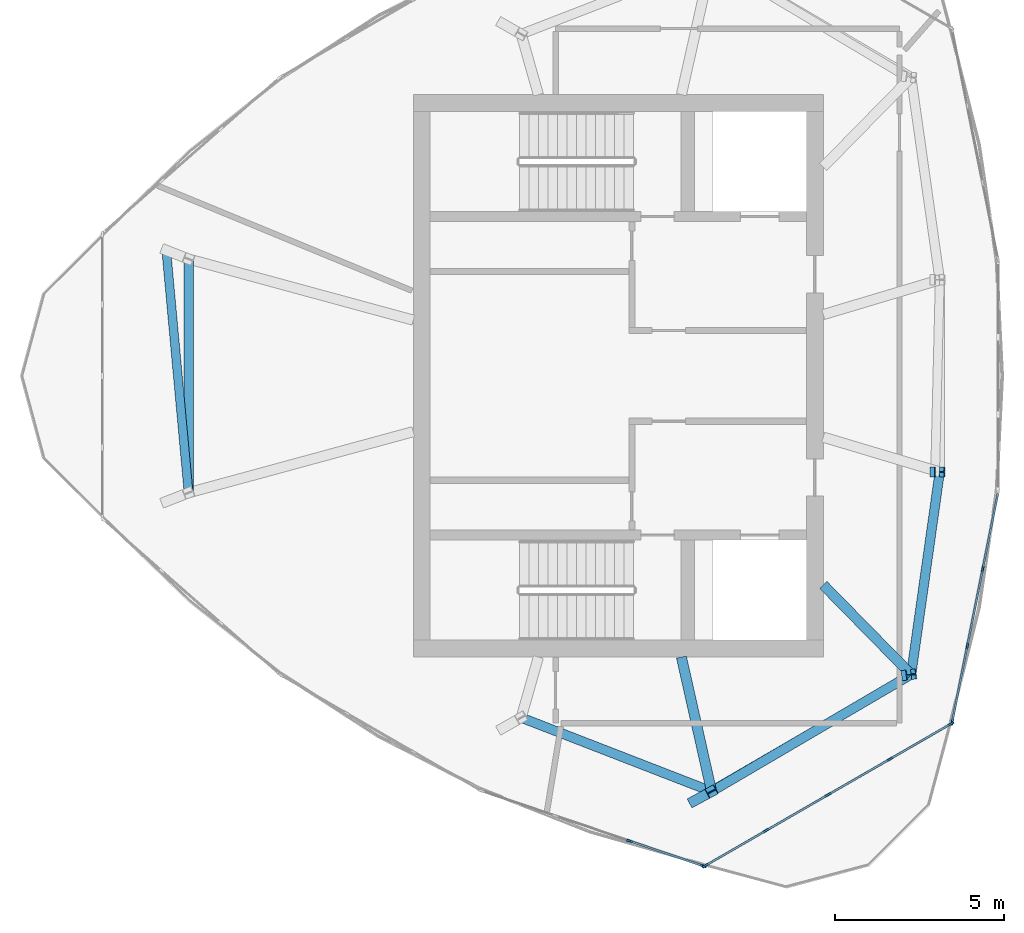
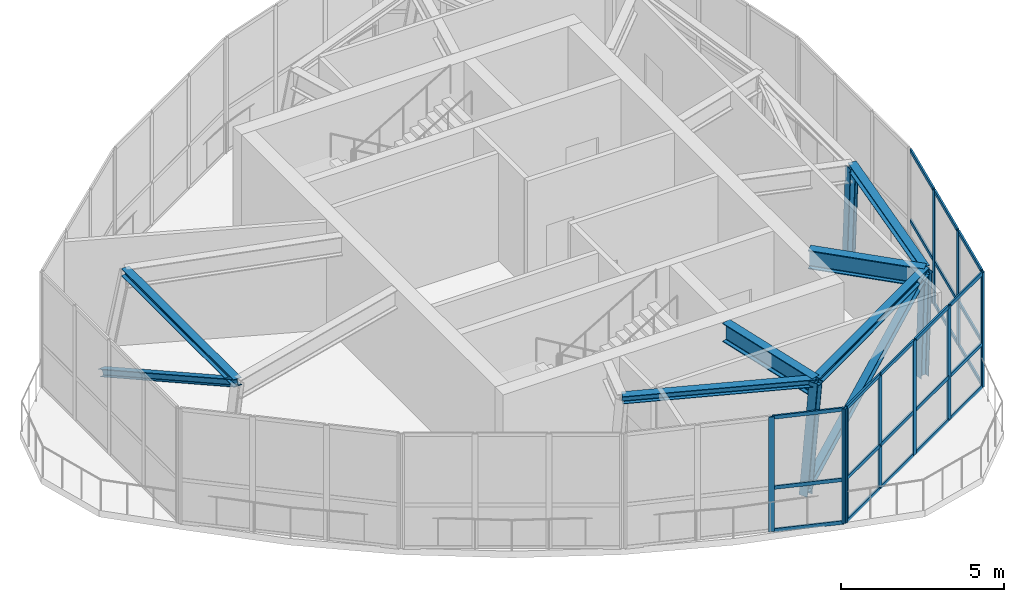
# One storey, part 2 of 10: 43 members, 2 beams, 3 elements without a shape of their own.
"""IFC4 building model written with IfcOpenShell, lengths in metres."""

from ifc_helpers import new_model, si_unit, direction, frame, origin, origin_2d, place, context, subcontext, project, spatial, rectangle, i_section, extrude, source, transform, mapped, material, layer, layer_set, material_profile, profile_set, type_object, element, aggregate, save


model = new_model("IFC4")

# Units and contexts
model_context = context("Model", 3, precision=1e-05, world=origin(), true_north=direction((0.0, 1.0)))
body_context = subcontext(model_context, "Body", "Model", "MODEL_VIEW")
ifc_project = project(units=[si_unit("LENGTHUNIT", "METRE"), si_unit("AREAUNIT", "SQUARE_METRE"), si_unit("VOLUMEUNIT", "CUBIC_METRE"), si_unit("PLANEANGLEUNIT", "RADIAN"), si_unit("MASSUNIT", "GRAM", prefix="KILO")], contexts=[model_context])

# Site, building, storey
site_placement = place(None, origin())
site = spatial("IfcSite", under=ifc_project, at=site_placement, CompositionType="ELEMENT")
building_placement = place(site_placement, origin())
building = spatial("IfcBuilding", under=site, at=building_placement, Name="Qafzar Sky-Pleat Residences", CompositionType="ELEMENT")
storey_placement = place(building_placement, frame((0.0, 0.0, 261.800048828125)))
storey = spatial("IfcBuildingStorey", under=building, at=storey_placement, Name="L78 Crown", CompositionType="ELEMENT", Elevation=261.800048828125)

# Members
ifc_material_1 = material(Name="Steel S460", Category="steel")
ifc_material_profile_1 = material_profile(ifc_material_1, i_section(OverallWidth=0.300048828125, OverallDepth=0.300048828125, WebThickness=0.010986328125, FlangeThickness=0.01904296875, FilletRadius=0.027099609375, at=origin_2d()), Name="HEB 300")
ifc_profile_set_1 = profile_set([ifc_material_profile_1], Name="Steel S460")
member_type_1 = type_object("IfcMemberType", Name="MEM-CROWN-RIB", PredefinedType="CHORD", material=ifc_profile_set_1)
shared_shape_1 = source(origin(), body_context, "Body", "SweptSolid", [
    extrude(i_section(OverallWidth=0.300048828125, OverallDepth=0.300048828125, WebThickness=0.010986328125, FlangeThickness=0.01904296875, FilletRadius=0.027099609375, at=origin_2d()), origin(), (0.0, 0.0, 1.0), 3.898193359375),
])
member_1_placement = place(storey_placement, frame((38.86279296875, 17.171142578125, 0.0), z_axis=(0.033443834759, 0.004133507667, 0.999432050732), x_axis=(-0.122662172065, 0.992448483068, 0.0)))
element("IfcMember", 1, at=member_1_placement, inside=storey, type_object=member_type_1, Name="L78 Crown CROWN FRAME Inclined Rib 6", PredefinedType="CHORD", context=body_context, shape_type="MappedRepresentation", body=[
    mapped(shared_shape_1, transform((0.0, 0.0, 0.0), x_axis=(1.0, 0.0, 0.0), y_axis=(0.0, 1.0, 0.0), z_axis=(0.0, 0.0, 1.0), scale=1.0)),
])
shared_shape_2 = source(origin(), body_context, "Body", "SweptSolid", [
    extrude(i_section(OverallWidth=0.300048828125, OverallDepth=0.300048828125, WebThickness=0.010986328125, FlangeThickness=0.01904296875, FilletRadius=0.027099609375, at=origin_2d()), origin(), (0.0, 0.0, 1.0), 3.8984375),
])
member_2_placement = place(storey_placement, frame((39.70068359375, 23.162841796875, 0.0), z_axis=(0.03500797869, 0.0003131304, 0.999386983794), x_axis=(-0.008944186046, 0.999959999968, 0.0)))
element("IfcMember", 2, at=member_2_placement, inside=storey, type_object=member_type_1, Name="L78 Crown CROWN FRAME Inclined Rib 7", PredefinedType="CHORD", context=body_context, shape_type="MappedRepresentation", body=[
    mapped(shared_shape_2, transform((0.0, 0.0, 0.0), x_axis=(1.0, 0.0, 0.0), y_axis=(0.0, 1.0, 0.0), z_axis=(0.0, 0.0, 1.0), scale=1.0)),
])
shared_shape_3 = source(origin(), body_context, "Body", "SweptSolid", [
    extrude(i_section(OverallWidth=0.300048828125, OverallDepth=0.300048828125, WebThickness=0.010986328125, FlangeThickness=0.01904296875, FilletRadius=0.027099609375, at=origin_2d()), origin(), (0.0, 0.0, 1.0), 3.940673828125),
])
member_3_placement = place(storey_placement, frame((32.5830078125, 13.4541015625, 0.0), z_axis=(0.132210472928, 0.07112353464, 0.988666694932), x_axis=(-0.473755256735, 0.88065654867, 0.0)))
element("IfcMember", 3, at=member_3_placement, inside=storey, type_object=member_type_1, Name="L78 Crown CROWN FRAME Inclined Rib 5", PredefinedType="CHORD", context=body_context, shape_type="MappedRepresentation", body=[
    mapped(shared_shape_3, transform((0.0, 0.0, 0.0), x_axis=(1.0, 0.0, 0.0), y_axis=(0.0, 1.0, 0.0), z_axis=(0.0, 0.0, 1.0), scale=1.0)),
])
ifc_material_2 = material(Name="Steel S355", Category="steel")
ifc_material_profile_2 = material_profile(ifc_material_2, i_section(OverallWidth=0.280029296875, OverallDepth=0.280029296875, WebThickness=0.010498046875, FlangeThickness=0.01806640625, FilletRadius=0.02392578125, at=origin_2d()), Name="HEB 280")
ifc_profile_set_2 = profile_set([ifc_material_profile_2], Name="Steel S355")
member_type_2 = type_object("IfcMemberType", Name="MEM-CROWN-RING", PredefinedType="PURLIN", material=ifc_profile_set_2)
shared_shape_4 = source(origin(), body_context, "Body", "SweptSolid", [
    extrude(i_section(OverallWidth=0.280029296875, OverallDepth=0.280029296875, WebThickness=0.010498046875, FlangeThickness=0.01806640625, FilletRadius=0.02392578125, at=origin_2d()), origin(), (0.0, 0.0, 1.0), 6.89794921875),
])
member_4_placement = place(storey_placement, frame((17.668212890625, 29.448974609375, 3.906005859375), z_axis=(0.0, -1.0, 0.0), x_axis=(1.0, 0.0, 0.0)))
element("IfcMember", 4, at=member_4_placement, inside=storey, type_object=member_type_2, Name="L78 Crown CROWN FRAME Ring Beam 1", PredefinedType="PURLIN", context=body_context, shape_type="MappedRepresentation", body=[
    mapped(shared_shape_4, transform((0.0, 0.0, 0.0), x_axis=(1.0, 0.0, 0.0), y_axis=(0.0, 1.0, 0.0), z_axis=(0.0, 0.0, 1.0), scale=1.0)),
])
ifc_material_profile_3 = material_profile(ifc_material_2, i_section(OverallWidth=0.260009765625, OverallDepth=0.260009765625, WebThickness=0.010009765625, FlangeThickness=0.017578125, FilletRadius=0.02392578125, at=origin_2d()), Name="HEB 260")
ifc_profile_set_3 = profile_set([ifc_material_profile_3], Name="Steel S355")
member_type_3 = type_object("IfcMemberType", Name="MEM-CROWN-DIAG", PredefinedType="BRACE", material=ifc_profile_set_3)
shared_shape_5 = source(origin(), body_context, "Body", "SweptSolid", [
    extrude(i_section(OverallWidth=0.260009765625, OverallDepth=0.260009765625, WebThickness=0.010009765625, FlangeThickness=0.017578125, FilletRadius=0.02392578125, at=origin_2d()), origin(), (0.0, 0.0, 1.0), 8.089599609375),
])
member_5_placement = place(storey_placement, frame((17.010498046875, 29.706298828125, 0.199951171875), z_axis=(0.081304974946, -0.88451603776, 0.459370090444), x_axis=(0.995801914341, 0.091534405529, 0.0)))
element("IfcMember", 5, at=member_5_placement, inside=storey, type_object=member_type_3, Name="L78 Crown CROWN FRAME Wind Brace 1", PredefinedType="BRACE", context=body_context, shape_type="MappedRepresentation", body=[
    mapped(shared_shape_5, transform((0.0, 0.0, 0.0), x_axis=(1.0, 0.0, 0.0), y_axis=(0.0, 1.0, 0.0), z_axis=(0.0, 0.0, 1.0), scale=1.0)),
])
shared_shape_6 = source(origin(), body_context, "Body", "SweptSolid", [
    extrude(i_section(OverallWidth=0.280029296875, OverallDepth=0.280029296875, WebThickness=0.010498046875, FlangeThickness=0.01806640625, FilletRadius=0.02392578125, at=origin_2d()), origin(), (0.0, 0.0, 1.0), 6.027587890625),
])
member_6_placement = place(storey_placement, frame((27.484619140625, 15.91455078125, 3.906005859375), z_axis=(0.932292469573, -0.361705337502, 0.0), x_axis=(0.361705337502, 0.932292469573, 0.0)))
element("IfcMember", 6, at=member_6_placement, inside=storey, type_object=member_type_2, Name="L78 Crown CROWN FRAME Ring Beam 4", PredefinedType="PURLIN", context=body_context, shape_type="MappedRepresentation", body=[
    mapped(shared_shape_6, transform((0.0, 0.0, 0.0), x_axis=(1.0, 0.0, 0.0), y_axis=(0.0, 1.0, 0.0), z_axis=(0.0, 0.0, 1.0), scale=1.0)),
])
shared_shape_7 = source(origin(), body_context, "Body", "SweptSolid", [
    extrude(i_section(OverallWidth=0.280029296875, OverallDepth=0.280029296875, WebThickness=0.010498046875, FlangeThickness=0.01806640625, FilletRadius=0.02392578125, at=origin_2d()), origin(), (0.0, 0.0, 1.0), 6.82666015625),
])
member_7_placement = place(storey_placement, frame((33.10400390625, 13.734375, 3.906005859375), z_axis=(0.86265869224, 0.505786497154, 0.0), x_axis=(-0.505786497154, 0.86265869224, 0.0)))
element("IfcMember", 7, at=member_7_placement, inside=storey, type_object=member_type_2, Name="L78 Crown CROWN FRAME Ring Beam 5", PredefinedType="PURLIN", context=body_context, shape_type="MappedRepresentation", body=[
    mapped(shared_shape_7, transform((0.0, 0.0, 0.0), x_axis=(1.0, 0.0, 0.0), y_axis=(0.0, 1.0, 0.0), z_axis=(0.0, 0.0, 1.0), scale=1.0)),
])
shared_shape_8 = source(origin(), body_context, "Body", "SweptSolid", [
    extrude(i_section(OverallWidth=0.260009765625, OverallDepth=0.260009765625, WebThickness=0.010009765625, FlangeThickness=0.017578125, FilletRadius=0.02392578125, at=origin_2d()), origin(), (0.0, 0.0, 1.0), 8.296630859375),
])
member_8_placement = place(storey_placement, frame((32.5830078125, 13.4541015625, 0.199951171875), z_axis=(0.772612650489, 0.449955059362, 0.447895229779), x_axis=(-0.503256996159, 0.864136792306, 0.0)))
element("IfcMember", 8, at=member_8_placement, inside=storey, type_object=member_type_3, Name="L78 Crown CROWN FRAME Wind Brace 5", PredefinedType="BRACE", context=body_context, shape_type="MappedRepresentation", body=[
    mapped(shared_shape_8, transform((0.0, 0.0, 0.0), x_axis=(1.0, 0.0, 0.0), y_axis=(0.0, 1.0, 0.0), z_axis=(0.0, 0.0, 1.0), scale=1.0)),
])
shared_shape_9 = source(origin(), body_context, "Body", "SweptSolid", [
    extrude(i_section(OverallWidth=0.280029296875, OverallDepth=0.280029296875, WebThickness=0.010498046875, FlangeThickness=0.01806640625, FilletRadius=0.02392578125, at=origin_2d()), origin(), (0.0, 0.0, 1.0), 6.0361328125),
])
member_9_placement = place(storey_placement, frame((38.9931640625, 17.187255859375, 3.906005859375), z_axis=(0.139824335469, 0.990176325313, 0.0), x_axis=(-0.990176325313, 0.139824335469, 0.0)))
element("IfcMember", 9, at=member_9_placement, inside=storey, type_object=member_type_2, Name="L78 Crown CROWN FRAME Ring Beam 6", PredefinedType="PURLIN", context=body_context, shape_type="MappedRepresentation", body=[
    mapped(shared_shape_9, transform((0.0, 0.0, 0.0), x_axis=(1.0, 0.0, 0.0), y_axis=(0.0, 1.0, 0.0), z_axis=(0.0, 0.0, 1.0), scale=1.0)),
])

# Beams
ifc_material_profile_4 = material_profile(ifc_material_1, i_section(OverallWidth=0.300048828125, OverallDepth=0.699951171875, WebThickness=0.01708984375, FlangeThickness=0.031982421875, FilletRadius=0.027099609375, at=origin_2d()), Name="HEB 700")
ifc_profile_set_4 = profile_set([ifc_material_profile_4], Name="Steel S460")
beam_type = type_object("IfcBeamType", Name="BM-CHORD-HEB700", PredefinedType="BEAM", material=ifc_profile_set_4)
shared_shape_10 = source(origin(), body_context, "Body", "SweptSolid", [
    extrude(i_section(OverallWidth=0.300048828125, OverallDepth=0.699951171875, WebThickness=0.01708984375, FlangeThickness=0.031982421875, FilletRadius=0.027099609375, at=origin_2d()), origin(), (0.0, 0.0, 1.0), 4.064208984375),
])
beam_1_placement = place(storey_placement, frame((33.10400390625, 13.734375, 3.697998046875), z_axis=(-0.219073354902, 0.975708391463, 0.0), x_axis=(-0.975708391463, -0.219073354902, 0.0)))
element("IfcBeam", 10, at=beam_1_placement, inside=storey, type_object=beam_type, Name="L79 Crown Crown Rib Base Transfer Beam 5", PredefinedType="BEAM", context=body_context, shape_type="MappedRepresentation", body=[
    mapped(shared_shape_10, transform((0.0, 0.0, 0.0), x_axis=(1.0, 0.0, 0.0), y_axis=(0.0, 1.0, 0.0), z_axis=(0.0, 0.0, 1.0), scale=1.0)),
])
shared_shape_11 = source(origin(), body_context, "Body", "SweptSolid", [
    extrude(i_section(OverallWidth=0.300048828125, OverallDepth=0.699951171875, WebThickness=0.01708984375, FlangeThickness=0.031982421875, FilletRadius=0.027099609375, at=origin_2d()), origin(), (0.0, 0.0, 1.0), 3.70361328125),
])
beam_2_placement = place(storey_placement, frame((38.9931640625, 17.187255859375, 3.697998046875), z_axis=(-0.700217713174, 0.713929376169, 0.0), x_axis=(-0.713929376169, -0.700217713174, 0.0)))
element("IfcBeam", 11, at=beam_2_placement, inside=storey, type_object=beam_type, Name="L79 Crown Crown Rib Base Transfer Beam 6", PredefinedType="BEAM", context=body_context, shape_type="MappedRepresentation", body=[
    mapped(shared_shape_11, transform((0.0, 0.0, 0.0), x_axis=(1.0, 0.0, 0.0), y_axis=(0.0, 1.0, 0.0), z_axis=(0.0, 0.0, 1.0), scale=1.0)),
])

# Curtain wall, members
ifc_material_3 = material(Name="Anodised bronze aluminium framing", Category="aluminium")
ifc_layer = layer(ifc_material_3, 0.179931640625)
ifc_layer_set = layer_set([ifc_layer], Name="Anodised bronze aluminium framing")
curtain_wall_type = type_object("IfcCurtainWallType", Name="CW-SYS-06", PredefinedType="NOTDEFINED", material=ifc_layer_set)
curtain_wall_1_placement = place(storey_placement, origin())
curtain_wall_1 = element("IfcCurtainWall", 12, at=curtain_wall_1_placement, inside=storey, type_object=curtain_wall_type, Name="L78 Crown CW-06 Curtain Wall CW-CROWN-03-04", PredefinedType="NOTDEFINED")
ifc_material_4 = material(Name="Anodised bronze aluminium", Category="aluminium")
ifc_material_profile_5 = material_profile(ifc_material_4, rectangle(XDim=0.06005859375, YDim=0.179931640625, at=origin_2d()), Name="ALU MULLION 60x180")
ifc_profile_set_5 = profile_set([ifc_material_profile_5], Name="Anodised bronze aluminium")
member_type_4 = type_object("IfcMemberType", Name="CWM-06", PredefinedType="MULLION", material=ifc_profile_set_5)
shared_shape_12 = source(origin(), body_context, "Body", "SweptSolid", [
    extrude(rectangle(XDim=0.06005859375, YDim=0.179931640625, at=origin_2d()), origin(), (0.0, 0.0, 1.0), 4.300048828125),
])
member_10_placement = place(storey_placement, frame((30.6865234375, 12.272705078125, 0.0), z_axis=(0.0, 0.0, 1.0), x_axis=(0.320451017741, 0.947265087095, 0.0)))
member_10 = element("IfcMember", 13, at=member_10_placement, type_object=member_type_4, Name="CW-06 mullion 3", PredefinedType="MULLION", context=body_context, shape_type="MappedRepresentation", body=[
    mapped(shared_shape_12, transform((0.0, 0.0, 0.0), x_axis=(1.0, 0.0, 0.0), y_axis=(0.0, 1.0, 0.0), z_axis=(0.0, 0.0, 1.0), scale=1.0)),
])
member_11_placement = place(storey_placement, frame((32.85888671875, 11.53759765625, 0.0), z_axis=(0.0, 0.0, 1.0), x_axis=(0.320451017741, 0.947265087095, 0.0)))
member_11 = element("IfcMember", 14, at=member_11_placement, type_object=member_type_4, Name="CW-06 mullion 4", PredefinedType="MULLION", context=body_context, shape_type="MappedRepresentation", body=[
    mapped(shared_shape_12, transform((0.0, 0.0, 0.0), x_axis=(1.0, 0.0, 0.0), y_axis=(0.0, 1.0, 0.0), z_axis=(0.0, 0.0, 1.0), scale=1.0)),
])

curtain_wall_2_placement = place(storey_placement, origin())
curtain_wall_2 = element("IfcCurtainWall", 15, at=curtain_wall_2_placement, inside=storey, type_object=curtain_wall_type, Name="L78 Crown CW-06 Curtain Wall CW-CROWN-03-05", PredefinedType="NOTDEFINED")
member_12_placement = place(storey_placement, frame((32.913330078125, 11.543212890625, 0.0), z_axis=(0.0, 0.0, 1.0), x_axis=(-0.500002153749, 0.866024160313, 0.0)))
member_12 = element("IfcMember", 16, at=member_12_placement, type_object=member_type_4, Name="CW-06 mullion 1", PredefinedType="MULLION", context=body_context, shape_type="MappedRepresentation", body=[
    mapped(shared_shape_12, transform((0.0, 0.0, 0.0), x_axis=(1.0, 0.0, 0.0), y_axis=(0.0, 1.0, 0.0), z_axis=(0.0, 0.0, 1.0), scale=1.0)),
])
member_13_placement = place(storey_placement, frame((34.71435546875, 12.5830078125, 0.0), z_axis=(0.0, 0.0, 1.0), x_axis=(-0.500002153749, 0.866024160313, 0.0)))
member_13 = element("IfcMember", 17, at=member_13_placement, type_object=member_type_4, Name="CW-06 mullion 2", PredefinedType="MULLION", context=body_context, shape_type="MappedRepresentation", body=[
    mapped(shared_shape_12, transform((0.0, 0.0, 0.0), x_axis=(1.0, 0.0, 0.0), y_axis=(0.0, 1.0, 0.0), z_axis=(0.0, 0.0, 1.0), scale=1.0)),
])
member_14_placement = place(storey_placement, frame((36.54150390625, 13.6376953125, 0.0), z_axis=(0.0, 0.0, 1.0), x_axis=(-0.500002153749, 0.866024160313, 0.0)))
member_14 = element("IfcMember", 18, at=member_14_placement, type_object=member_type_4, Name="CW-06 mullion 3", PredefinedType="MULLION", context=body_context, shape_type="MappedRepresentation", body=[
    mapped(shared_shape_12, transform((0.0, 0.0, 0.0), x_axis=(1.0, 0.0, 0.0), y_axis=(0.0, 1.0, 0.0), z_axis=(0.0, 0.0, 1.0), scale=1.0)),
])
member_15_placement = place(storey_placement, frame((38.368408203125, 14.692626953125, 0.0), z_axis=(0.0, 0.0, 1.0), x_axis=(-0.500002153749, 0.866024160313, 0.0)))
member_15 = element("IfcMember", 19, at=member_15_placement, type_object=member_type_4, Name="CW-06 mullion 4", PredefinedType="MULLION", context=body_context, shape_type="MappedRepresentation", body=[
    mapped(shared_shape_12, transform((0.0, 0.0, 0.0), x_axis=(1.0, 0.0, 0.0), y_axis=(0.0, 1.0, 0.0), z_axis=(0.0, 0.0, 1.0), scale=1.0)),
])
member_16_placement = place(storey_placement, frame((40.16943359375, 15.732421875, 0.0), z_axis=(0.0, 0.0, 1.0), x_axis=(-0.500002153749, 0.866024160313, 0.0)))
member_16 = element("IfcMember", 20, at=member_16_placement, type_object=member_type_4, Name="CW-06 mullion 5", PredefinedType="MULLION", context=body_context, shape_type="MappedRepresentation", body=[
    mapped(shared_shape_12, transform((0.0, 0.0, 0.0), x_axis=(1.0, 0.0, 0.0), y_axis=(0.0, 1.0, 0.0), z_axis=(0.0, 0.0, 1.0), scale=1.0)),
])

curtain_wall_3_placement = place(storey_placement, origin())
curtain_wall_3 = element("IfcCurtainWall", 21, at=curtain_wall_3_placement, inside=storey, type_object=curtain_wall_type, Name="L78 Crown CW-06 Curtain Wall CW-CROWN-03-06", PredefinedType="NOTDEFINED")
member_17_placement = place(storey_placement, frame((40.201171875, 15.77685546875, 0.0), z_axis=(0.0, 0.0, 1.0), x_axis=(-0.980581227468, 0.196113376234, 0.0)))
member_17 = element("IfcMember", 22, at=member_17_placement, type_object=member_type_4, Name="CW-06 mullion 1", PredefinedType="MULLION", context=body_context, shape_type="MappedRepresentation", body=[
    mapped(shared_shape_12, transform((0.0, 0.0, 0.0), x_axis=(1.0, 0.0, 0.0), y_axis=(0.0, 1.0, 0.0), z_axis=(0.0, 0.0, 1.0), scale=1.0)),
])
member_18_placement = place(storey_placement, frame((40.651123046875, 18.02587890625, 0.0), z_axis=(0.0, 0.0, 1.0), x_axis=(-0.980581227468, 0.196113376234, 0.0)))
member_18 = element("IfcMember", 23, at=member_18_placement, type_object=member_type_4, Name="CW-06 mullion 2", PredefinedType="MULLION", context=body_context, shape_type="MappedRepresentation", body=[
    mapped(shared_shape_12, transform((0.0, 0.0, 0.0), x_axis=(1.0, 0.0, 0.0), y_axis=(0.0, 1.0, 0.0), z_axis=(0.0, 0.0, 1.0), scale=1.0)),
])
member_19_placement = place(storey_placement, frame((41.106689453125, 20.30419921875, 0.0), z_axis=(0.0, 0.0, 1.0), x_axis=(-0.980581227468, 0.196113376234, 0.0)))
member_19 = element("IfcMember", 24, at=member_19_placement, type_object=member_type_4, Name="CW-06 mullion 3", PredefinedType="MULLION", context=body_context, shape_type="MappedRepresentation", body=[
    mapped(shared_shape_12, transform((0.0, 0.0, 0.0), x_axis=(1.0, 0.0, 0.0), y_axis=(0.0, 1.0, 0.0), z_axis=(0.0, 0.0, 1.0), scale=1.0)),
])

# Member
ifc_material_profile_6 = material_profile(ifc_material_4, rectangle(XDim=0.06005859375, YDim=0.135009765625, at=origin_2d()), Name="ALU TRANSOM 60x135")
ifc_profile_set_6 = profile_set([ifc_material_profile_6], Name="Anodised bronze aluminium")
member_type_5 = type_object("IfcMemberType", Name="CWT-06", PredefinedType="USERDEFINED", material=ifc_profile_set_6)
shared_shape_13 = source(origin(), body_context, "Body", "SweptSolid", [
    extrude(rectangle(XDim=0.06005859375, YDim=0.135009765625, at=origin_2d()), origin(), (0.0, 0.0, 1.0), 2.01953125),
])
member_20_placement = place(storey_placement, frame((32.939453125, 11.55810546875, 0.030029296875), z_axis=(0.866032592222, 0.499987549055, 0.0), x_axis=(-0.499987549055, 0.866032592222, 0.0)))
member_20 = element("IfcMember", 25, at=member_20_placement, type_object=member_type_5, Name="CW-06 transom 1.1", ObjectType="TRANSOM", PredefinedType="USERDEFINED", context=body_context, shape_type="MappedRepresentation", body=[
    mapped(shared_shape_13, transform((0.0, 0.0, 0.0), x_axis=(1.0, 0.0, 0.0), y_axis=(0.0, 1.0, 0.0), z_axis=(0.0, 0.0, 1.0), scale=1.0)),
])

member_21_placement = place(storey_placement, frame((32.939453125, 11.55810546875, 1.634033203125), z_axis=(0.866032592222, 0.499987549055, 0.0), x_axis=(-0.499987549055, 0.866032592222, 0.0)))
member_21 = element("IfcMember", 26, at=member_21_placement, type_object=member_type_5, Name="CW-06 transom 1.2", ObjectType="TRANSOM", PredefinedType="USERDEFINED", context=body_context, shape_type="MappedRepresentation", body=[
    mapped(shared_shape_13, transform((0.0, 0.0, 0.0), x_axis=(1.0, 0.0, 0.0), y_axis=(0.0, 1.0, 0.0), z_axis=(0.0, 0.0, 1.0), scale=1.0)),
])

member_22_placement = place(storey_placement, frame((32.939453125, 11.55810546875, 4.27001953125), z_axis=(0.866032592222, 0.499987549055, 0.0), x_axis=(-0.499987549055, 0.866032592222, 0.0)))
member_22 = element("IfcMember", 27, at=member_22_placement, type_object=member_type_5, Name="CW-06 transom 1.3", ObjectType="TRANSOM", PredefinedType="USERDEFINED", context=body_context, shape_type="MappedRepresentation", body=[
    mapped(shared_shape_13, transform((0.0, 0.0, 0.0), x_axis=(1.0, 0.0, 0.0), y_axis=(0.0, 1.0, 0.0), z_axis=(0.0, 0.0, 1.0), scale=1.0)),
])

shared_shape_14 = source(origin(), body_context, "Body", "SweptSolid", [
    extrude(rectangle(XDim=0.06005859375, YDim=0.135009765625, at=origin_2d()), origin(), (0.0, 0.0, 1.0), 2.049560546875),
])
member_23_placement = place(storey_placement, frame((34.740478515625, 12.597900390625, 0.030029296875), z_axis=(0.865991176338, 0.500059278991, 0.0), x_axis=(-0.500059278991, 0.865991176338, 0.0)))
member_23 = element("IfcMember", 28, at=member_23_placement, type_object=member_type_5, Name="CW-06 transom 2.1", ObjectType="TRANSOM", PredefinedType="USERDEFINED", context=body_context, shape_type="MappedRepresentation", body=[
    mapped(shared_shape_14, transform((0.0, 0.0, 0.0), x_axis=(1.0, 0.0, 0.0), y_axis=(0.0, 1.0, 0.0), z_axis=(0.0, 0.0, 1.0), scale=1.0)),
])

member_24_placement = place(storey_placement, frame((34.740478515625, 12.597900390625, 1.634033203125), z_axis=(0.865991176338, 0.500059278991, 0.0), x_axis=(-0.500059278991, 0.865991176338, 0.0)))
member_24 = element("IfcMember", 29, at=member_24_placement, type_object=member_type_5, Name="CW-06 transom 2.2", ObjectType="TRANSOM", PredefinedType="USERDEFINED", context=body_context, shape_type="MappedRepresentation", body=[
    mapped(shared_shape_14, transform((0.0, 0.0, 0.0), x_axis=(1.0, 0.0, 0.0), y_axis=(0.0, 1.0, 0.0), z_axis=(0.0, 0.0, 1.0), scale=1.0)),
])

member_25_placement = place(storey_placement, frame((34.740478515625, 12.597900390625, 4.27001953125), z_axis=(0.865991176338, 0.500059278991, 0.0), x_axis=(-0.500059278991, 0.865991176338, 0.0)))
member_25 = element("IfcMember", 30, at=member_25_placement, type_object=member_type_5, Name="CW-06 transom 2.3", ObjectType="TRANSOM", PredefinedType="USERDEFINED", context=body_context, shape_type="MappedRepresentation", body=[
    mapped(shared_shape_14, transform((0.0, 0.0, 0.0), x_axis=(1.0, 0.0, 0.0), y_axis=(0.0, 1.0, 0.0), z_axis=(0.0, 0.0, 1.0), scale=1.0)),
])

member_26_placement = place(storey_placement, frame((36.5673828125, 13.65283203125, 0.030029296875), z_axis=(0.866072531883, 0.499918362854, 0.0), x_axis=(-0.499918362854, 0.866072531883, 0.0)))
member_26 = element("IfcMember", 31, at=member_26_placement, type_object=member_type_5, Name="CW-06 transom 3.1", ObjectType="TRANSOM", PredefinedType="USERDEFINED", context=body_context, shape_type="MappedRepresentation", body=[
    mapped(shared_shape_14, transform((0.0, 0.0, 0.0), x_axis=(1.0, 0.0, 0.0), y_axis=(0.0, 1.0, 0.0), z_axis=(0.0, 0.0, 1.0), scale=1.0)),
])

member_27_placement = place(storey_placement, frame((36.5673828125, 13.65283203125, 1.634033203125), z_axis=(0.866072531883, 0.499918362854, 0.0), x_axis=(-0.499918362854, 0.866072531883, 0.0)))
member_27 = element("IfcMember", 32, at=member_27_placement, type_object=member_type_5, Name="CW-06 transom 3.2", ObjectType="TRANSOM", PredefinedType="USERDEFINED", context=body_context, shape_type="MappedRepresentation", body=[
    mapped(shared_shape_14, transform((0.0, 0.0, 0.0), x_axis=(1.0, 0.0, 0.0), y_axis=(0.0, 1.0, 0.0), z_axis=(0.0, 0.0, 1.0), scale=1.0)),
])

member_28_placement = place(storey_placement, frame((36.5673828125, 13.65283203125, 4.27001953125), z_axis=(0.866072531883, 0.499918362854, 0.0), x_axis=(-0.499918362854, 0.866072531883, 0.0)))
member_28 = element("IfcMember", 33, at=member_28_placement, type_object=member_type_5, Name="CW-06 transom 3.3", ObjectType="TRANSOM", PredefinedType="USERDEFINED", context=body_context, shape_type="MappedRepresentation", body=[
    mapped(shared_shape_14, transform((0.0, 0.0, 0.0), x_axis=(1.0, 0.0, 0.0), y_axis=(0.0, 1.0, 0.0), z_axis=(0.0, 0.0, 1.0), scale=1.0)),
])

shared_shape_15 = source(origin(), body_context, "Body", "SweptSolid", [
    extrude(rectangle(XDim=0.06005859375, YDim=0.135009765625, at=origin_2d()), origin(), (0.0, 0.0, 1.0), 2.233642578125),
])
member_29_placement = place(storey_placement, frame((40.207275390625, 15.80615234375, 0.030029296875), z_axis=(0.196095114692, 0.980584879546, 0.0), x_axis=(-0.980584879546, 0.196095114692, 0.0)))
member_29 = element("IfcMember", 34, at=member_29_placement, type_object=member_type_5, Name="CW-06 transom 1.1", ObjectType="TRANSOM", PredefinedType="USERDEFINED", context=body_context, shape_type="MappedRepresentation", body=[
    mapped(shared_shape_15, transform((0.0, 0.0, 0.0), x_axis=(1.0, 0.0, 0.0), y_axis=(0.0, 1.0, 0.0), z_axis=(0.0, 0.0, 1.0), scale=1.0)),
])

member_30_placement = place(storey_placement, frame((40.207275390625, 15.80615234375, 1.634033203125), z_axis=(0.196095114692, 0.980584879546, 0.0), x_axis=(-0.980584879546, 0.196095114692, 0.0)))
member_30 = element("IfcMember", 35, at=member_30_placement, type_object=member_type_5, Name="CW-06 transom 1.2", ObjectType="TRANSOM", PredefinedType="USERDEFINED", context=body_context, shape_type="MappedRepresentation", body=[
    mapped(shared_shape_15, transform((0.0, 0.0, 0.0), x_axis=(1.0, 0.0, 0.0), y_axis=(0.0, 1.0, 0.0), z_axis=(0.0, 0.0, 1.0), scale=1.0)),
])

member_31_placement = place(storey_placement, frame((40.207275390625, 15.80615234375, 4.27001953125), z_axis=(0.196095114692, 0.980584879546, 0.0), x_axis=(-0.980584879546, 0.196095114692, 0.0)))
member_31 = element("IfcMember", 36, at=member_31_placement, type_object=member_type_5, Name="CW-06 transom 1.3", ObjectType="TRANSOM", PredefinedType="USERDEFINED", context=body_context, shape_type="MappedRepresentation", body=[
    mapped(shared_shape_15, transform((0.0, 0.0, 0.0), x_axis=(1.0, 0.0, 0.0), y_axis=(0.0, 1.0, 0.0), z_axis=(0.0, 0.0, 1.0), scale=1.0)),
])

member_32_placement = place(storey_placement, frame((41.112548828125, 20.33349609375, 0.030029296875), z_axis=(0.196095114692, 0.980584879546, 0.0), x_axis=(-0.980584879546, 0.196095114692, 0.0)))
member_32 = element("IfcMember", 37, at=member_32_placement, type_object=member_type_5, Name="CW-06 transom 3.1", ObjectType="TRANSOM", PredefinedType="USERDEFINED", context=body_context, shape_type="MappedRepresentation", body=[
    mapped(shared_shape_15, transform((0.0, 0.0, 0.0), x_axis=(1.0, 0.0, 0.0), y_axis=(0.0, 1.0, 0.0), z_axis=(0.0, 0.0, 1.0), scale=1.0)),
])

member_33_placement = place(storey_placement, frame((41.112548828125, 20.33349609375, 1.634033203125), z_axis=(0.196095114692, 0.980584879546, 0.0), x_axis=(-0.980584879546, 0.196095114692, 0.0)))
member_33 = element("IfcMember", 38, at=member_33_placement, type_object=member_type_5, Name="CW-06 transom 3.2", ObjectType="TRANSOM", PredefinedType="USERDEFINED", context=body_context, shape_type="MappedRepresentation", body=[
    mapped(shared_shape_15, transform((0.0, 0.0, 0.0), x_axis=(1.0, 0.0, 0.0), y_axis=(0.0, 1.0, 0.0), z_axis=(0.0, 0.0, 1.0), scale=1.0)),
])

member_34_placement = place(storey_placement, frame((41.112548828125, 20.33349609375, 4.27001953125), z_axis=(0.196095114692, 0.980584879546, 0.0), x_axis=(-0.980584879546, 0.196095114692, 0.0)))
member_34 = element("IfcMember", 39, at=member_34_placement, type_object=member_type_5, Name="CW-06 transom 3.3", ObjectType="TRANSOM", PredefinedType="USERDEFINED", context=body_context, shape_type="MappedRepresentation", body=[
    mapped(shared_shape_15, transform((0.0, 0.0, 0.0), x_axis=(1.0, 0.0, 0.0), y_axis=(0.0, 1.0, 0.0), z_axis=(0.0, 0.0, 1.0), scale=1.0)),
])

shared_shape_16 = source(origin(), body_context, "Body", "SweptSolid", [
    extrude(rectangle(XDim=0.06005859375, YDim=0.135009765625, at=origin_2d()), origin(), (0.0, 0.0, 1.0), 2.263427734375),
])
member_35_placement = place(storey_placement, frame((40.656982421875, 18.05517578125, 0.030029296875), z_axis=(0.196095392161, 0.980584824058, 0.0), x_axis=(-0.980584824058, 0.196095392161, 0.0)))
member_35 = element("IfcMember", 40, at=member_35_placement, type_object=member_type_5, Name="CW-06 transom 2.1", ObjectType="TRANSOM", PredefinedType="USERDEFINED", context=body_context, shape_type="MappedRepresentation", body=[
    mapped(shared_shape_16, transform((0.0, 0.0, 0.0), x_axis=(1.0, 0.0, 0.0), y_axis=(0.0, 1.0, 0.0), z_axis=(0.0, 0.0, 1.0), scale=1.0)),
])

member_36_placement = place(storey_placement, frame((40.656982421875, 18.05517578125, 1.634033203125), z_axis=(0.196095392161, 0.980584824058, 0.0), x_axis=(-0.980584824058, 0.196095392161, 0.0)))
member_36 = element("IfcMember", 41, at=member_36_placement, type_object=member_type_5, Name="CW-06 transom 2.2", ObjectType="TRANSOM", PredefinedType="USERDEFINED", context=body_context, shape_type="MappedRepresentation", body=[
    mapped(shared_shape_16, transform((0.0, 0.0, 0.0), x_axis=(1.0, 0.0, 0.0), y_axis=(0.0, 1.0, 0.0), z_axis=(0.0, 0.0, 1.0), scale=1.0)),
])

member_37_placement = place(storey_placement, frame((40.656982421875, 18.05517578125, 4.27001953125), z_axis=(0.196095392161, 0.980584824058, 0.0), x_axis=(-0.980584824058, 0.196095392161, 0.0)))
member_37 = element("IfcMember", 42, at=member_37_placement, type_object=member_type_5, Name="CW-06 transom 2.3", ObjectType="TRANSOM", PredefinedType="USERDEFINED", context=body_context, shape_type="MappedRepresentation", body=[
    mapped(shared_shape_16, transform((0.0, 0.0, 0.0), x_axis=(1.0, 0.0, 0.0), y_axis=(0.0, 1.0, 0.0), z_axis=(0.0, 0.0, 1.0), scale=1.0)),
])

aggregate(curtain_wall_3, [member_17, member_18, member_19, member_29, member_30, member_31, member_35, member_36, member_37, member_32, member_33, member_34])

shared_shape_17 = source(origin(), body_context, "Body", "SweptSolid", [
    extrude(rectangle(XDim=0.06005859375, YDim=0.135009765625, at=origin_2d()), origin(), (0.0, 0.0, 1.0), 2.2333984375),
])
member_38_placement = place(storey_placement, frame((30.71484375, 12.262939453125, 0.030029296875), z_axis=(0.947285911391, -0.32038945376, 0.0), x_axis=(0.32038945376, 0.947285911391, 0.0)))
member_38 = element("IfcMember", 43, at=member_38_placement, type_object=member_type_5, Name="CW-06 transom 3.1", ObjectType="TRANSOM", PredefinedType="USERDEFINED", context=body_context, shape_type="MappedRepresentation", body=[
    mapped(shared_shape_17, transform((0.0, 0.0, 0.0), x_axis=(1.0, 0.0, 0.0), y_axis=(0.0, 1.0, 0.0), z_axis=(0.0, 0.0, 1.0), scale=1.0)),
])

member_39_placement = place(storey_placement, frame((30.71484375, 12.262939453125, 1.634033203125), z_axis=(0.947285911391, -0.32038945376, 0.0), x_axis=(0.32038945376, 0.947285911391, 0.0)))
member_39 = element("IfcMember", 44, at=member_39_placement, type_object=member_type_5, Name="CW-06 transom 3.2", ObjectType="TRANSOM", PredefinedType="USERDEFINED", context=body_context, shape_type="MappedRepresentation", body=[
    mapped(shared_shape_17, transform((0.0, 0.0, 0.0), x_axis=(1.0, 0.0, 0.0), y_axis=(0.0, 1.0, 0.0), z_axis=(0.0, 0.0, 1.0), scale=1.0)),
])

member_40_placement = place(storey_placement, frame((30.71484375, 12.262939453125, 4.27001953125), z_axis=(0.947285911391, -0.32038945376, 0.0), x_axis=(0.32038945376, 0.947285911391, 0.0)))
member_40 = element("IfcMember", 45, at=member_40_placement, type_object=member_type_5, Name="CW-06 transom 3.3", ObjectType="TRANSOM", PredefinedType="USERDEFINED", context=body_context, shape_type="MappedRepresentation", body=[
    mapped(shared_shape_17, transform((0.0, 0.0, 0.0), x_axis=(1.0, 0.0, 0.0), y_axis=(0.0, 1.0, 0.0), z_axis=(0.0, 0.0, 1.0), scale=1.0)),
])

aggregate(curtain_wall_1, [member_10, member_11, member_38, member_39, member_40])

shared_shape_18 = source(origin(), body_context, "Body", "SweptSolid", [
    extrude(rectangle(XDim=0.06005859375, YDim=0.135009765625, at=origin_2d()), origin(), (0.0, 0.0, 1.0), 2.019775390625),
])
member_41_placement = place(storey_placement, frame((38.394287109375, 14.70751953125, 0.030029296875), z_axis=(0.866062807656, 0.499935208997, 0.0), x_axis=(-0.499935208997, 0.866062807656, 0.0)))
member_41 = element("IfcMember", 46, at=member_41_placement, type_object=member_type_5, Name="CW-06 transom 4.1", ObjectType="TRANSOM", PredefinedType="USERDEFINED", context=body_context, shape_type="MappedRepresentation", body=[
    mapped(shared_shape_18, transform((0.0, 0.0, 0.0), x_axis=(1.0, 0.0, 0.0), y_axis=(0.0, 1.0, 0.0), z_axis=(0.0, 0.0, 1.0), scale=1.0)),
])

member_42_placement = place(storey_placement, frame((38.394287109375, 14.70751953125, 1.634033203125), z_axis=(0.866062807656, 0.499935208997, 0.0), x_axis=(-0.499935208997, 0.866062807656, 0.0)))
member_42 = element("IfcMember", 47, at=member_42_placement, type_object=member_type_5, Name="CW-06 transom 4.2", ObjectType="TRANSOM", PredefinedType="USERDEFINED", context=body_context, shape_type="MappedRepresentation", body=[
    mapped(shared_shape_18, transform((0.0, 0.0, 0.0), x_axis=(1.0, 0.0, 0.0), y_axis=(0.0, 1.0, 0.0), z_axis=(0.0, 0.0, 1.0), scale=1.0)),
])

member_43_placement = place(storey_placement, frame((38.394287109375, 14.70751953125, 4.27001953125), z_axis=(0.866062807656, 0.499935208997, 0.0), x_axis=(-0.499935208997, 0.866062807656, 0.0)))
member_43 = element("IfcMember", 48, at=member_43_placement, type_object=member_type_5, Name="CW-06 transom 4.3", ObjectType="TRANSOM", PredefinedType="USERDEFINED", context=body_context, shape_type="MappedRepresentation", body=[
    mapped(shared_shape_18, transform((0.0, 0.0, 0.0), x_axis=(1.0, 0.0, 0.0), y_axis=(0.0, 1.0, 0.0), z_axis=(0.0, 0.0, 1.0), scale=1.0)),
])

aggregate(curtain_wall_2, [member_12, member_13, member_14, member_15, member_16, member_20, member_21, member_22, member_23, member_24, member_25, member_26, member_27, member_28, member_41, member_42, member_43])

save(model, "model.ifc")
